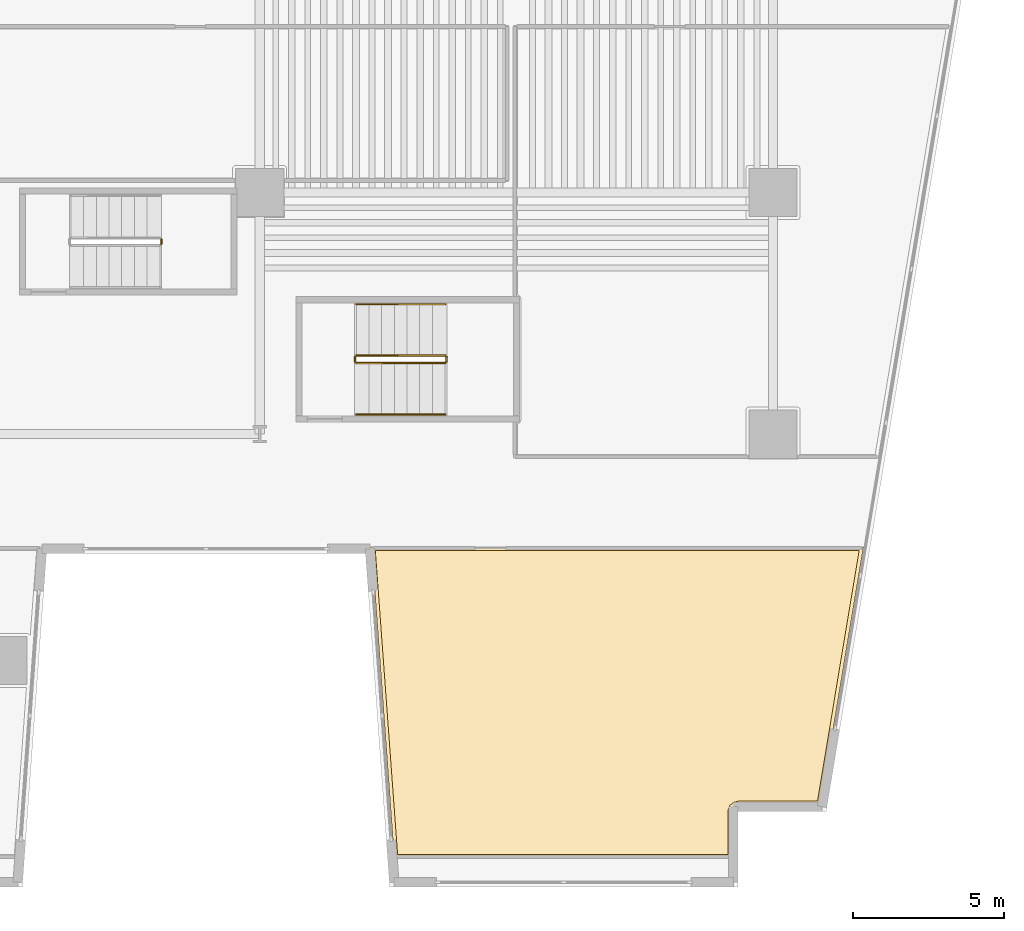
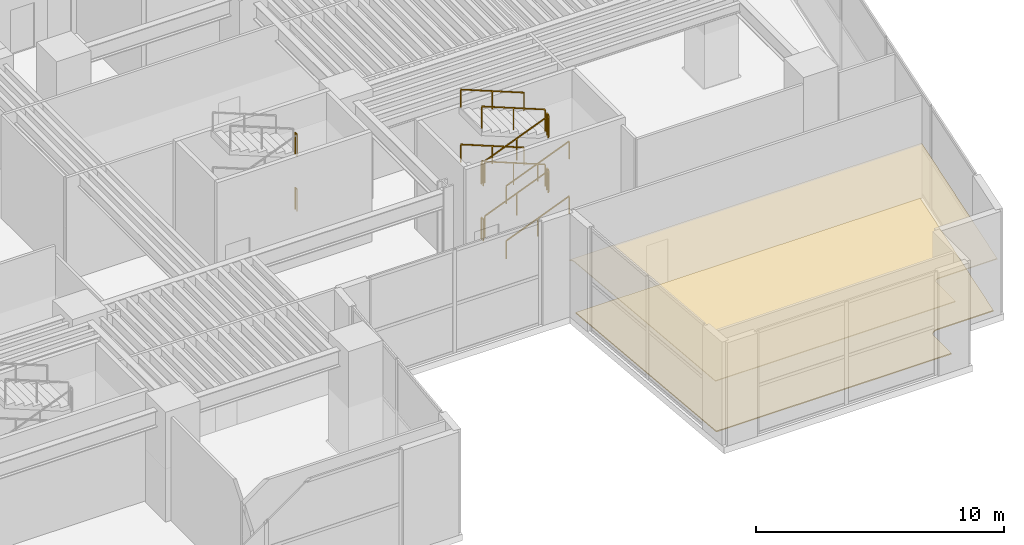
# One storey, part 15 of 17: 14 railings, 2 coverings.
"""IFC4 building model written with IfcOpenShell, lengths in metres."""

from ifc_helpers import new_model, si_unit, direction, frame, origin, origin_2d, place, context, subcontext, project, spatial, polyline, rectangle, outline, extrude, material, layer, layer_set, type_object, element, save


model = new_model("IFC4")

# Units and contexts
model_context = context("Model", 3, precision=1e-05, world=origin(), true_north=direction((0.0, 1.0)))
body_context = subcontext(model_context, "Body", "Model", "MODEL_VIEW")
ifc_project = project(units=[si_unit("LENGTHUNIT", "METRE"), si_unit("AREAUNIT", "SQUARE_METRE"), si_unit("VOLUMEUNIT", "CUBIC_METRE"), si_unit("PLANEANGLEUNIT", "RADIAN"), si_unit("MASSUNIT", "GRAM", prefix="KILO")], contexts=[model_context])

# Site, building, storey
site_placement = place(None, origin())
site = spatial("IfcSite", under=ifc_project, at=site_placement, CompositionType="ELEMENT")
building_placement = place(site_placement, origin())
building = spatial("IfcBuilding", under=site, at=building_placement, Name="Caeloran Harvest Quay", CompositionType="ELEMENT")
storey_placement = place(building_placement, frame((0.0, 0.0, 5.39990234375)))
storey = spatial("IfcBuildingStorey", under=building, at=storey_placement, Name="L02", CompositionType="ELEMENT", Elevation=5.39990234375)

# Coverings
ifc_material_1 = material(Name="Perforated Mineral-Fibre Acoustic Ceiling Tile", Category="ceiling")
ifc_layer_1 = layer(ifc_material_1, 0.0400390625, Name="Perforated Mineral-Fibre Acoustic Ceiling Tile")
ifc_layer_set_1 = layer_set([ifc_layer_1], Name="Perforated Mineral-Fibre Acoustic Ceiling Tile")
covering_type_1 = type_object("IfcCoveringType", Name="COV-CEILING-ACOUSTIC", PredefinedType="CEILING", material=ifc_layer_set_1)
covering_1_placement = place(storey_placement, frame((0.0, 0.0, 2.60009765625)))
element("IfcCovering", 1, at=covering_1_placement, inside=storey, type_object=covering_type_1, Name="Cantonese Roast and Dim Sum Restaurant Acoustic Ceiling", PredefinedType="CEILING", context=body_context, shape_type="SweptSolid", body=[
    extrude(outline(polyline([(52.57373046875, 2.719970703125), (49.7802734375, 2.71044921875), (49.70458984375, 2.669921875), (49.64990234375, 2.603759765625), (49.625, 2.521484375), (49.6240234375, 0.9599609375), (38.455078125, 0.9599609375), (37.723388671875, 11.054931640625), (37.68896484375, 11.158935546875), (37.60302734375, 11.260009765625), (53.9951171875, 11.260009765625), (52.57373046875, 2.719970703125)])), origin(), (0.0, 0.0, 1.0), 0.0400390625),
])
ifc_material_2 = material(Name="Calcium-Sulphate Raised Access Floor and Terrazzo Finish", Category="flooring")
ifc_layer_2 = layer(ifc_material_2, 0.050048828125, Name="Calcium-Sulphate Raised Access Floor and Terrazzo Finish")
ifc_layer_set_2 = layer_set([ifc_layer_2], Name="Calcium-Sulphate Raised Access Floor and Terrazzo Finish")
covering_type_2 = type_object("IfcCoveringType", Name="COV-FLOOR-RAISED", PredefinedType="FLOORING", material=ifc_layer_set_2)
covering_2_placement = place(storey_placement, origin())
element("IfcCovering", 2, at=covering_2_placement, inside=storey, type_object=covering_type_2, Name="Cantonese Roast and Dim Sum Restaurant Raised Finish Flooring", PredefinedType="FLOORING", context=body_context, shape_type="SweptSolid", body=[
    extrude(outline(polyline([(37.82861328125, 11.139892578125), (53.853515625, 11.139892578125), (52.471923828125, 2.840087890625), (49.843994140625, 2.840087890625), (49.680419921875, 2.7978515625), (49.55908203125, 2.685546875), (49.506103515625, 2.537109375), (49.50390625, 1.080078125), (38.566650390625, 1.080078125), (37.82861328125, 11.139892578125)])), origin(), (0.0, 0.0, 1.0), 0.050048828125),
])

# Railings
ifc_material_3 = material(Name="Painted Steel Baluster and Top-Rail Stair Guard", Category="steel")
ifc_layer_3 = layer(ifc_material_3, 0.050048828125, Name="Painted Steel Baluster and Top-Rail Stair Guard")
ifc_layer_set_3 = layer_set([ifc_layer_3], Name="Painted Steel Baluster and Top-Rail Stair Guard")
railing_type_1 = type_object("IfcRailingType", Name="STAIR-GUARD-1100", PredefinedType="GUARDRAIL", material=ifc_layer_set_3)
for number, where, name in (
    (3, (30.739990234375, 21.300048828125, 1.35009765625), "L02 ST-W1 stair guard 2"),
    (4, (30.739990234375, 21.300048828125, 4.050048828125), "L02 ST-W1 stair guard 6"),
):
    element("IfcRailing", number, at=place(storey_placement, frame(where)), inside=storey, type_object=railing_type_1, Name=name, PredefinedType="GUARDRAIL", context=body_context, shape_type="SweptSolid", body=[
        extrude(rectangle(XDim=0.048095703125, YDim=0.048095703125, at=origin_2d()), frame((0.0, 0.0, 1.076171875), z_axis=(0.0, 1.0, 0.0), x_axis=(-1.0, 0.0, 0.0)), (0.0, 0.0, 1.0), 0.14990234375),
        extrude(rectangle(XDim=0.0419921875, YDim=0.0419921875, at=origin_2d()), origin(), (0.0, 0.0, 1.0), 1.052001953125),
        extrude(rectangle(XDim=0.0419921875, YDim=0.0419921875, at=origin_2d()), frame((0.0, 0.14990234375, 0.0)), (0.0, 0.0, 1.0), 1.052001953125),
    ])
railing_1_placement = place(storey_placement, frame((37.199951171875, 17.35009765625, 0.1689453125)))
element("IfcRailing", 5, at=railing_1_placement, inside=storey, type_object=railing_type_1, Name="L02 ST-P2 stair guard 1", PredefinedType="GUARDRAIL", context=body_context, shape_type="SweptSolid", body=[
    extrude(rectangle(XDim=0.048095703125, YDim=0.048095703125, at=origin_2d()), frame((0.0, 0.0, 1.076171875), z_axis=(0.927912314548, 0.0, 0.372798519995), x_axis=(0.0, 1.0, 0.0)), (0.0, 0.0, 1.0), 3.16845703125),
    extrude(rectangle(XDim=0.0419921875, YDim=0.0419921875, at=origin_2d()), origin(), (0.0, 0.0, 1.0), 1.052001953125),
    extrude(rectangle(XDim=0.0419921875, YDim=0.0419921875, at=origin_2d()), frame((1.469970703125, 0.0, 0.590576171875)), (0.0, 0.0, 1.0), 1.052001953125),
    extrude(rectangle(XDim=0.0419921875, YDim=0.0419921875, at=origin_2d()), frame((2.93994140625, 0.0, 1.18115234375)), (0.0, 0.0, 1.0), 1.052001953125),
])
railing_2_placement = place(storey_placement, frame((40.18994140625, 17.39990234375, 1.35009765625)))
element("IfcRailing", 6, at=railing_2_placement, inside=storey, type_object=railing_type_1, Name="L02 ST-P2 stair guard 2", PredefinedType="GUARDRAIL", context=body_context, shape_type="SweptSolid", body=[
    extrude(rectangle(XDim=0.048095703125, YDim=0.048095703125, at=origin_2d()), frame((0.0, 0.0, 1.076171875), z_axis=(0.0, 1.0, 0.0), x_axis=(-1.0, 0.0, 0.0)), (0.0, 0.0, 1.0), 0.150146484375),
    extrude(rectangle(XDim=0.0419921875, YDim=0.0419921875, at=origin_2d()), origin(), (0.0, 0.0, 1.0), 1.052001953125),
    extrude(rectangle(XDim=0.0419921875, YDim=0.0419921875, at=origin_2d()), frame((0.0, 0.150146484375, 0.0)), (0.0, 0.0, 1.0), 1.052001953125),
])
railing_3_placement = place(storey_placement, frame((40.139892578125, 17.60009765625, 1.518798828125)))
element("IfcRailing", 7, at=railing_3_placement, inside=storey, type_object=railing_type_1, Name="L02 ST-P2 stair guard 3", PredefinedType="GUARDRAIL", context=body_context, shape_type="SweptSolid", body=[
    extrude(rectangle(XDim=0.048095703125, YDim=0.048095703125, at=origin_2d()), frame((0.0, 0.0, 1.076171875), z_axis=(-0.927885657282, 0.0, 0.372864864274), x_axis=(0.0, -1.0, 0.0)), (0.0, 0.0, 1.0), 3.16845703125),
    extrude(rectangle(XDim=0.0419921875, YDim=0.0419921875, at=origin_2d()), origin(), (0.0, 0.0, 1.0), 1.052001953125),
    extrude(rectangle(XDim=0.0419921875, YDim=0.0419921875, at=origin_2d()), frame((-1.469970703125, 0.0, 0.5908203125)), (0.0, 0.0, 1.0), 1.052001953125),
    extrude(rectangle(XDim=0.0419921875, YDim=0.0419921875, at=origin_2d()), frame((-2.93994140625, 0.0, 1.181396484375)), (0.0, 0.0, 1.0), 1.052001953125),
])
railing_4_placement = place(storey_placement, frame((37.14990234375, 17.39990234375, 2.7001953125)))
element("IfcRailing", 8, at=railing_4_placement, inside=storey, type_object=railing_type_1, Name="L02 ST-P2 stair guard 4", PredefinedType="GUARDRAIL", context=body_context, shape_type="SweptSolid", body=[
    extrude(rectangle(XDim=0.048095703125, YDim=0.048095703125, at=origin_2d()), frame((0.0, 0.0, 1.076171875), z_axis=(0.0, 1.0, 0.0), x_axis=(-1.0, 0.0, 0.0)), (0.0, 0.0, 1.0), 0.150146484375),
    extrude(rectangle(XDim=0.0419921875, YDim=0.0419921875, at=origin_2d()), origin(), (0.0, 0.0, 1.0), 1.052001953125),
    extrude(rectangle(XDim=0.0419921875, YDim=0.0419921875, at=origin_2d()), frame((0.0, 0.150146484375, 0.0)), (0.0, 0.0, 1.0), 1.052001953125),
])
railing_5_placement = place(storey_placement, frame((37.199951171875, 17.35009765625, 2.868896484375)))
element("IfcRailing", 9, at=railing_5_placement, inside=storey, type_object=railing_type_1, Name="L02 ST-P2 stair guard 5", PredefinedType="GUARDRAIL", context=body_context, shape_type="SweptSolid", body=[
    extrude(rectangle(XDim=0.048095703125, YDim=0.048095703125, at=origin_2d()), frame((0.0, 0.0, 1.076171875), z_axis=(0.927912314548, 0.0, 0.372798519995), x_axis=(0.0, 1.0, 0.0)), (0.0, 0.0, 1.0), 3.16845703125),
    extrude(rectangle(XDim=0.0419921875, YDim=0.0419921875, at=origin_2d()), origin(), (0.0, 0.0, 1.0), 1.052001953125),
    extrude(rectangle(XDim=0.0419921875, YDim=0.0419921875, at=origin_2d()), frame((1.469970703125, 0.0, 0.590576171875)), (0.0, 0.0, 1.0), 1.052001953125),
    extrude(rectangle(XDim=0.0419921875, YDim=0.0419921875, at=origin_2d()), frame((2.93994140625, 0.0, 1.18115234375)), (0.0, 0.0, 1.0), 1.052001953125),
])
railing_6_placement = place(storey_placement, frame((40.18994140625, 17.39990234375, 4.050048828125)))
element("IfcRailing", 10, at=railing_6_placement, inside=storey, type_object=railing_type_1, Name="L02 ST-P2 stair guard 6", PredefinedType="GUARDRAIL", context=body_context, shape_type="SweptSolid", body=[
    extrude(rectangle(XDim=0.048095703125, YDim=0.048095703125, at=origin_2d()), frame((0.0, 0.0, 1.076171875), z_axis=(0.0, 1.0, 0.0), x_axis=(-1.0, 0.0, 0.0)), (0.0, 0.0, 1.0), 0.150146484375),
    extrude(rectangle(XDim=0.0419921875, YDim=0.0419921875, at=origin_2d()), origin(), (0.0, 0.0, 1.0), 1.052001953125),
    extrude(rectangle(XDim=0.0419921875, YDim=0.0419921875, at=origin_2d()), frame((0.0, 0.150146484375, 0.0)), (0.0, 0.0, 1.0), 1.052001953125),
])
railing_7_placement = place(storey_placement, frame((40.139892578125, 17.60009765625, 4.21875)))
element("IfcRailing", 11, at=railing_7_placement, inside=storey, type_object=railing_type_1, Name="L02 ST-P2 stair guard 7", PredefinedType="GUARDRAIL", context=body_context, shape_type="SweptSolid", body=[
    extrude(rectangle(XDim=0.048095703125, YDim=0.048095703125, at=origin_2d()), frame((0.0, 0.0, 1.076171875), z_axis=(-0.927885657282, 0.0, 0.372864864274), x_axis=(0.0, -1.0, 0.0)), (0.0, 0.0, 1.0), 3.16845703125),
    extrude(rectangle(XDim=0.0419921875, YDim=0.0419921875, at=origin_2d()), origin(), (0.0, 0.0, 1.0), 1.052001953125),
    extrude(rectangle(XDim=0.0419921875, YDim=0.0419921875, at=origin_2d()), frame((-1.469970703125, 0.0, 0.5908203125)), (0.0, 0.0, 1.0), 1.052001953125),
    extrude(rectangle(XDim=0.0419921875, YDim=0.0419921875, at=origin_2d()), frame((-2.93994140625, 0.0, 1.181396484375)), (0.0, 0.0, 1.0), 1.052001953125),
])
railing_8_placement = place(storey_placement, frame((37.14990234375, 17.39990234375, 0.0)))
element("IfcRailing", 12, at=railing_8_placement, inside=storey, type_object=railing_type_1, Name="L02 ST-P2 stair guard 8", PredefinedType="GUARDRAIL", context=body_context, shape_type="SweptSolid", body=[
    extrude(rectangle(XDim=0.048095703125, YDim=0.048095703125, at=origin_2d()), frame((0.0, 0.0, 1.076171875), z_axis=(0.0, 1.0, 0.0), x_axis=(-1.0, 0.0, 0.0)), (0.0, 0.0, 1.0), 0.150146484375),
    extrude(rectangle(XDim=0.0419921875, YDim=0.0419921875, at=origin_2d()), origin(), (0.0, 0.0, 1.0), 1.052001953125),
    extrude(rectangle(XDim=0.0419921875, YDim=0.0419921875, at=origin_2d()), frame((0.0, 0.150146484375, 0.0)), (0.0, 0.0, 1.0), 1.052001953125),
])
ifc_material_4 = material(Name="Brushed Stainless Steel Grade 304", Category="steel")
ifc_layer_4 = layer(ifc_material_4, 0.050048828125, Name="Brushed Stainless Steel Grade 304")
ifc_layer_set_4 = layer_set([ifc_layer_4], Name="Brushed Stainless Steel Grade 304")
railing_type_2 = type_object("IfcRailingType", Name="STAIR-HANDRAIL-900", PredefinedType="HANDRAIL", material=ifc_layer_set_4)
railing_9_placement = place(storey_placement, frame((37.199951171875, 15.64990234375, 0.1689453125)))
element("IfcRailing", 13, at=railing_9_placement, inside=storey, type_object=railing_type_2, Name="L02 ST-P2 stair handrail 1", PredefinedType="HANDRAIL", context=body_context, shape_type="SweptSolid", body=[
    extrude(rectangle(XDim=0.048095703125, YDim=0.048095703125, at=origin_2d()), frame((0.0, 0.0, 0.8759765625), z_axis=(0.927912314548, 0.0, 0.372798519995), x_axis=(0.0, 1.0, 0.0)), (0.0, 0.0, 1.0), 3.16845703125),
    extrude(rectangle(XDim=0.0419921875, YDim=0.0419921875, at=origin_2d()), origin(), (0.0, 0.0, 1.0), 0.851806640625),
    extrude(rectangle(XDim=0.0419921875, YDim=0.0419921875, at=origin_2d()), frame((1.469970703125, 0.0, 0.590576171875)), (0.0, 0.0, 1.0), 0.851806640625),
    extrude(rectangle(XDim=0.0419921875, YDim=0.0419921875, at=origin_2d()), frame((2.93994140625, 0.0, 1.18115234375)), (0.0, 0.0, 1.0), 0.851806640625),
])
railing_10_placement = place(storey_placement, frame((40.139892578125, 19.300048828125, 1.518798828125)))
element("IfcRailing", 14, at=railing_10_placement, inside=storey, type_object=railing_type_2, Name="L02 ST-P2 stair handrail 2", PredefinedType="HANDRAIL", context=body_context, shape_type="SweptSolid", body=[
    extrude(rectangle(XDim=0.048095703125, YDim=0.048095703125, at=origin_2d()), frame((0.0, 0.0, 0.8759765625), z_axis=(-0.927885657282, 0.0, 0.372864864274), x_axis=(0.0, -1.0, 0.0)), (0.0, 0.0, 1.0), 3.16845703125),
    extrude(rectangle(XDim=0.0419921875, YDim=0.0419921875, at=origin_2d()), origin(), (0.0, 0.0, 1.0), 0.851806640625),
    extrude(rectangle(XDim=0.0419921875, YDim=0.0419921875, at=origin_2d()), frame((-1.469970703125, 0.0, 0.5908203125)), (0.0, 0.0, 1.0), 0.851806640625),
    extrude(rectangle(XDim=0.0419921875, YDim=0.0419921875, at=origin_2d()), frame((-2.93994140625, 0.0, 1.181396484375)), (0.0, 0.0, 1.0), 0.851806640625),
])
railing_11_placement = place(storey_placement, frame((37.199951171875, 15.64990234375, 2.868896484375)))
element("IfcRailing", 15, at=railing_11_placement, inside=storey, type_object=railing_type_2, Name="L02 ST-P2 stair handrail 3", PredefinedType="HANDRAIL", context=body_context, shape_type="SweptSolid", body=[
    extrude(rectangle(XDim=0.048095703125, YDim=0.048095703125, at=origin_2d()), frame((0.0, 0.0, 0.8759765625), z_axis=(0.927912314548, 0.0, 0.372798519995), x_axis=(0.0, 1.0, 0.0)), (0.0, 0.0, 1.0), 3.16845703125),
    extrude(rectangle(XDim=0.0419921875, YDim=0.0419921875, at=origin_2d()), origin(), (0.0, 0.0, 1.0), 0.851806640625),
    extrude(rectangle(XDim=0.0419921875, YDim=0.0419921875, at=origin_2d()), frame((1.469970703125, 0.0, 0.590576171875)), (0.0, 0.0, 1.0), 0.851806640625),
    extrude(rectangle(XDim=0.0419921875, YDim=0.0419921875, at=origin_2d()), frame((2.93994140625, 0.0, 1.18115234375)), (0.0, 0.0, 1.0), 0.851806640625),
])
railing_12_placement = place(storey_placement, frame((40.139892578125, 19.300048828125, 4.21875)))
element("IfcRailing", 16, at=railing_12_placement, inside=storey, type_object=railing_type_2, Name="L02 ST-P2 stair handrail 4", PredefinedType="HANDRAIL", context=body_context, shape_type="SweptSolid", body=[
    extrude(rectangle(XDim=0.048095703125, YDim=0.048095703125, at=origin_2d()), frame((0.0, 0.0, 0.8759765625), z_axis=(-0.927885657282, 0.0, 0.372864864274), x_axis=(0.0, -1.0, 0.0)), (0.0, 0.0, 1.0), 3.16845703125),
    extrude(rectangle(XDim=0.0419921875, YDim=0.0419921875, at=origin_2d()), origin(), (0.0, 0.0, 1.0), 0.851806640625),
    extrude(rectangle(XDim=0.0419921875, YDim=0.0419921875, at=origin_2d()), frame((-1.469970703125, 0.0, 0.5908203125)), (0.0, 0.0, 1.0), 0.851806640625),
    extrude(rectangle(XDim=0.0419921875, YDim=0.0419921875, at=origin_2d()), frame((-2.93994140625, 0.0, 1.181396484375)), (0.0, 0.0, 1.0), 0.851806640625),
])

save(model, "model.ifc")
